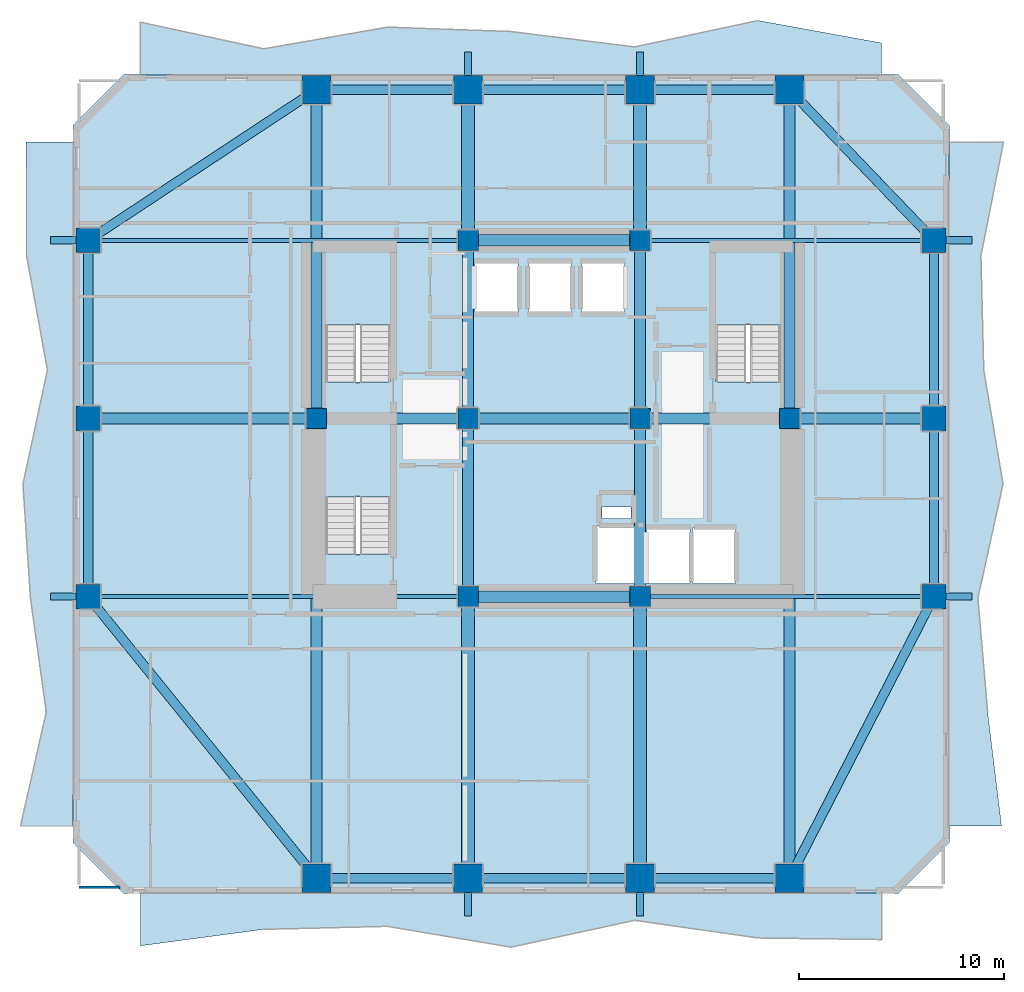
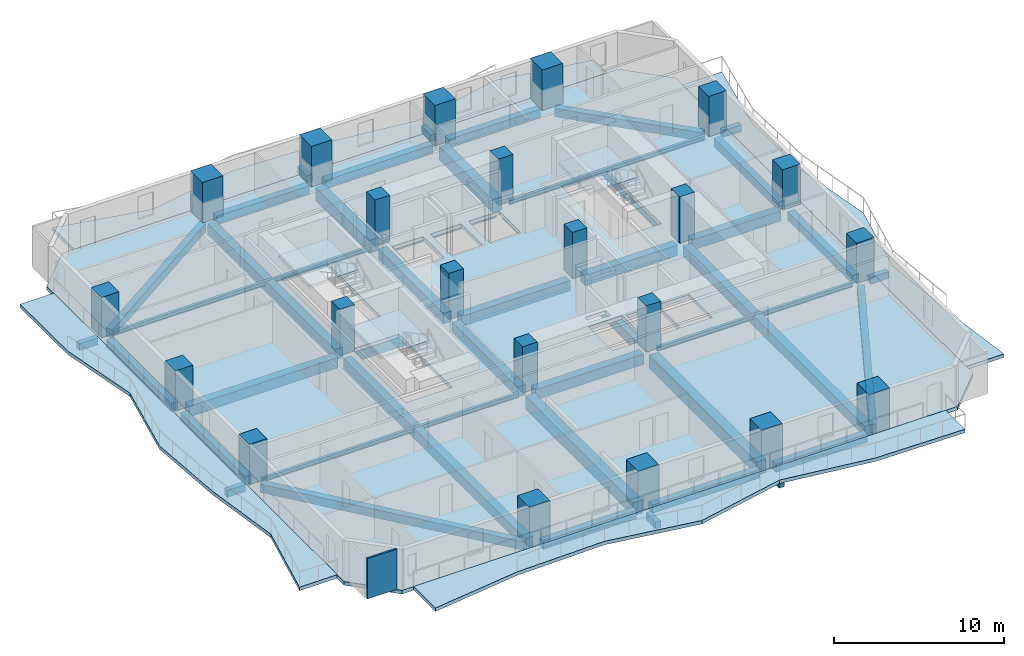
# One storey, part 1 of 10: 45 beams, 22 columns, 8 slabs, 1 wall, 3 elements without a shape of their own.
"""IFC4 building model written with IfcOpenShell, lengths in metres."""

from ifc_helpers import new_model, si_unit, direction, frame, frame_2d, origin, origin_2d, place, context, subcontext, project, spatial, polyline, rectangle, i_section, outline, extrude, material, layer, layer_set, material_profile, profile_set, type_object, element, aggregate, save


model = new_model("IFC4")

# Units and contexts
model_context = context("Model", 3, precision=1e-05, world=origin(), true_north=direction((0.0, 1.0)))
body_context = subcontext(model_context, "Body", "Model", "MODEL_VIEW")
ifc_project = project(units=[si_unit("LENGTHUNIT", "METRE"), si_unit("AREAUNIT", "SQUARE_METRE"), si_unit("VOLUMEUNIT", "CUBIC_METRE"), si_unit("PLANEANGLEUNIT", "RADIAN"), si_unit("MASSUNIT", "GRAM", prefix="KILO")], contexts=[model_context])

# Site, building, storey
site_placement = place(None, origin())
site = spatial("IfcSite", under=ifc_project, at=site_placement, CompositionType="ELEMENT")
building_placement = place(site_placement, origin())
building = spatial("IfcBuilding", under=site, at=building_placement, Name="Solanera Arch Residences", CompositionType="ELEMENT")
storey_placement = place(building_placement, frame((0.0, 0.0, 38.60009765625)))
storey = spatial("IfcBuildingStorey", under=building, at=storey_placement, Name="L10", CompositionType="ELEMENT", Elevation=38.60009765625)

# Columns
ifc_material_1 = material(Name="Concrete C55/67 (f'c = 60 MPa)", Category="concrete")
ifc_material_profile_1 = material_profile(ifc_material_1, rectangle(XDim=1.0, YDim=1.0, at=origin_2d()))
ifc_profile_set_1 = profile_set([ifc_material_profile_1], Name="Concrete C55/67 (f'c = 60 MPa)")
column_type_1 = type_object("IfcColumnType", Name="Structural Column RC-COL-1000X1000", PredefinedType="COLUMN", material=ifc_profile_set_1)
for number, where, z_axis, x_axis, name in (
    (1, (20.800048828125, 22.0, 0.0), (0.0, 0.0, 1.0), (1.0, 0.0, 0.0), "COL-L10-CB-SW"),
    (2, (29.199951171875, 22.0, 0.0), (0.0, 0.0, 1.0), (1.0, 0.0, 0.0), "COL-L10-CB-SE"),
    (3, (20.800048828125, 39.39990234375, 0.0), (0.0, 0.0, 1.0), (1.0, 0.0, 0.0), "COL-L10-CB-NW"),
    (4, (29.199951171875, 39.39990234375, 0.0), (0.0, 0.0, 1.0), (1.0, 0.0, 0.0), "COL-L10-CB-NE"),
    (5, (13.39990234375, 30.699951171875, 0.0), (0.0, 0.0, 1.0), (1.0, 0.0, 0.0), "COL-L10-CB-WW"),
    (6, (36.5, 30.699951171875, 0.0), (0.0, 0.0, 1.0), (1.0, 0.0, 0.0), "COL-L10-CB-EE"),
    (7, (20.800048828125, 30.699951171875, 0.0), (0.0, 0.0, 1.0), (1.0, 0.0, 0.0), "COL-L10-CORE-W"),
    (8, (29.199951171875, 30.699951171875, 0.0), (0.0, 0.0, 1.0), (1.0, 0.0, 0.0), "COL-L10-CORE-E"),
):
    element("IfcColumn", number, at=place(storey_placement, frame(where, z_axis=z_axis, x_axis=x_axis)), inside=storey, type_object=column_type_1, Name=name, PredefinedType="COLUMN", context=body_context, shape_type="SweptSolid", body=[
        extrude(rectangle(XDim=1.0, YDim=1.0, at=origin_2d()), origin(), (0.0, 0.0, 1.0), 3.31982421875),
    ])
ifc_material_2 = material(Name="Concrete C55/67 (f'c = 60 MPa)", Category="concrete")
ifc_material_profile_2 = material_profile(ifc_material_2, rectangle(XDim=1.199951171875, YDim=1.199951171875, at=origin_2d()))
ifc_profile_set_2 = profile_set([ifc_material_profile_2], Name="Concrete C55/67 (f'c = 60 MPa)")
column_type_2 = type_object("IfcColumnType", Name="Structural Column RC-COL-1200X1200", PredefinedType="COLUMN", material=ifc_profile_set_2)
for number, where, z_axis, x_axis, name in (
    (9, (2.25, 22.0, 0.0), (0.0, 0.0, 1.0), (1.0, 0.0, 0.0), "COL-L10-TWR-09"),
    (10, (43.550048828125, 22.0, 0.0), (0.0, 0.0, 1.0), (1.0, 0.0, 0.0), "COL-L10-TWR-10"),
    (11, (2.25, 30.699951171875, 0.0), (0.0, 0.0, 1.0), (1.0, 0.0, 0.0), "COL-L10-TWR-11"),
    (12, (43.550048828125, 30.699951171875, 0.0), (0.0, 0.0, 1.0), (1.0, 0.0, 0.0), "COL-L10-TWR-12"),
    (13, (2.25, 39.39990234375, 0.0), (0.0, 0.0, 1.0), (1.0, 0.0, 0.0), "COL-L10-TWR-13"),
    (14, (43.550048828125, 39.39990234375, 0.0), (0.0, 0.0, 1.0), (1.0, 0.0, 0.0), "COL-L10-TWR-14"),
):
    element("IfcColumn", number, at=place(storey_placement, frame(where, z_axis=z_axis, x_axis=x_axis)), inside=storey, type_object=column_type_2, Name=name, PredefinedType="COLUMN", context=body_context, shape_type="SweptSolid", body=[
        extrude(rectangle(XDim=1.199951171875, YDim=1.199951171875, at=origin_2d()), origin(), (0.0, 0.0, 1.0), 2.89990234375),
    ])
ifc_material_3 = material(Name="Concrete C55/67 (f'c = 60 MPa)", Category="concrete")
ifc_material_profile_3 = material_profile(ifc_material_3, rectangle(XDim=1.39990234375, YDim=1.39990234375, at=origin_2d()))
ifc_profile_set_3 = profile_set([ifc_material_profile_3], Name="Concrete C55/67 (f'c = 60 MPa)")
column_type_3 = type_object("IfcColumnType", Name="Structural Column RC-COL-1400X1400", PredefinedType="COLUMN", material=ifc_profile_set_3)
for number, where, z_axis, x_axis, name in (
    (15, (13.39990234375, 8.25, 0.0), (0.0, 0.0, 1.0), (1.0, 0.0, 0.0), "COL-L10-TWR-01"),
    (16, (13.39990234375, 46.75, 0.0), (0.0, 0.0, 1.0), (1.0, 0.0, 0.0), "COL-L10-TWR-02"),
    (17, (20.800048828125, 8.25, 0.0), (0.0, 0.0, 1.0), (1.0, 0.0, 0.0), "COL-L10-TWR-03"),
    (18, (20.800048828125, 46.75, 0.0), (0.0, 0.0, 1.0), (1.0, 0.0, 0.0), "COL-L10-TWR-04"),
    (19, (29.199951171875, 8.25, 0.0), (0.0, 0.0, 1.0), (1.0, 0.0, 0.0), "COL-L10-TWR-05"),
    (20, (29.199951171875, 46.75, 0.0), (0.0, 0.0, 1.0), (1.0, 0.0, 0.0), "COL-L10-TWR-06"),
    (21, (36.5, 8.25, 0.0), (0.0, 0.0, 1.0), (1.0, 0.0, 0.0), "COL-L10-TWR-07"),
    (22, (36.5, 46.75, 0.0), (0.0, 0.0, 1.0), (1.0, 0.0, 0.0), "COL-L10-TWR-08"),
):
    element("IfcColumn", number, at=place(storey_placement, frame(where, z_axis=z_axis, x_axis=x_axis)), inside=storey, type_object=column_type_3, Name=name, PredefinedType="COLUMN", context=body_context, shape_type="SweptSolid", body=[
        extrude(rectangle(XDim=1.39990234375, YDim=1.39990234375, at=origin_2d()), origin(), (0.0, 0.0, 1.0), 2.89990234375),
    ])

# Beams
ifc_material_4 = material(Name="Concrete C40/50 (f'c = 45 MPa)", Category="concrete")
ifc_material_profile_4 = material_profile(ifc_material_4, rectangle(XDim=0.35009765625, YDim=0.5, at=origin_2d()))
ifc_profile_set_4 = profile_set([ifc_material_profile_4], Name="Concrete C40/50 (f'c = 45 MPa)")
beam_type_1 = type_object("IfcBeamType", Name="BM-BALC-RIB", PredefinedType="BEAM", material=ifc_profile_set_4)
for number, where, z_axis, x_axis, name in (
    (23, (20.800048828125, 6.39990234375, -0.5), (0.0, 1.0, 0.0), (-1.0, 0.0, 0.0), "BM-L10-BRIB-S1"),
    (24, (29.199951171875, 6.39990234375, -0.5), (0.0, 1.0, 0.0), (-1.0, 0.0, 0.0), "BM-L10-BRIB-S2"),
    (25, (20.800048828125, 47.449951171875, -0.5), (0.0, 1.0, 0.0), (-1.0, 0.0, 0.0), "BM-L10-BRIB-N1"),
    (26, (29.199951171875, 47.449951171875, -0.5), (0.0, 1.0, 0.0), (-1.0, 0.0, 0.0), "BM-L10-BRIB-N2"),
):
    element("IfcBeam", number, at=place(storey_placement, frame(where, z_axis=z_axis, x_axis=x_axis)), inside=storey, type_object=beam_type_1, Name=name, PredefinedType="BEAM", context=body_context, shape_type="SweptSolid", body=[
        extrude(rectangle(XDim=0.35009765625, YDim=0.5, at=origin_2d()), origin(), (0.0, 0.0, 1.0), 1.150146484375),
    ])
for number, where, z_axis, x_axis, name in (
    (27, (44.14990234375, 22.0, -0.5), (1.0, 0.0, 0.0), (0.0, 1.0, 0.0), "BM-L10-BRIB-E1"),
    (28, (44.14990234375, 39.39990234375, -0.5), (1.0, 0.0, 0.0), (0.0, 1.0, 0.0), "BM-L10-BRIB-E2"),
    (29, (0.39990234375, 22.0, -0.5), (1.0, 0.0, 0.0), (0.0, 1.0, 0.0), "BM-L10-BRIB-W1"),
    (30, (0.39990234375, 39.39990234375, -0.5), (1.0, 0.0, 0.0), (0.0, 1.0, 0.0), "BM-L10-BRIB-W2"),
):
    element("IfcBeam", number, at=place(storey_placement, frame(where, z_axis=z_axis, x_axis=x_axis)), inside=storey, type_object=beam_type_1, Name=name, PredefinedType="BEAM", context=body_context, shape_type="SweptSolid", body=[
        extrude(rectangle(XDim=0.35009765625, YDim=0.5, at=origin_2d()), origin(), (0.0, 0.0, 1.0), 1.25),
    ])
ifc_material_5 = material(Name="Concrete C40/50 (f'c = 45 MPa)", Category="concrete")
ifc_material_profile_5 = material_profile(ifc_material_5, rectangle(XDim=0.550048828125, YDim=0.75, at=origin_2d()))
ifc_profile_set_5 = profile_set([ifc_material_profile_5], Name="Concrete C40/50 (f'c = 45 MPa)")
beam_type_2 = type_object("IfcBeamType", Name="Primary Beam RC-BM-550X750", PredefinedType="BEAM", material=ifc_profile_set_5)
beam_1_placement = place(storey_placement, frame((20.800048828125, 22.50390625, -0.635009765625), z_axis=(0.0, 1.0, 0.0), x_axis=(-1.0, 0.0, 0.0)))
element("IfcBeam", 31, at=beam_1_placement, inside=storey, type_object=beam_type_2, Name="BM-L10-CC-S-208", PredefinedType="BEAM", context=body_context, shape_type="SweptSolid", body=[
    extrude(rectangle(XDim=0.550048828125, YDim=0.75, at=origin_2d()), origin(), (0.0, 0.0, 1.0), 7.692138671875),
])
beam_2_placement = place(storey_placement, frame((20.800048828125, 31.2041015625, -0.635009765625), z_axis=(0.0, 1.0, 0.0), x_axis=(-1.0, 0.0, 0.0)))
element("IfcBeam", 32, at=beam_2_placement, inside=storey, type_object=beam_type_2, Name="BM-L10-CC-N-208", PredefinedType="BEAM", context=body_context, shape_type="SweptSolid", body=[
    extrude(rectangle(XDim=0.550048828125, YDim=0.75, at=origin_2d()), origin(), (0.0, 0.0, 1.0), 7.69189453125),
])
beam_3_placement = place(storey_placement, frame((29.199951171875, 22.50390625, -0.635009765625), z_axis=(0.0, 1.0, 0.0), x_axis=(-1.0, 0.0, 0.0)))
element("IfcBeam", 33, at=beam_3_placement, inside=storey, type_object=beam_type_2, Name="BM-L10-CC-S-292", PredefinedType="BEAM", context=body_context, shape_type="SweptSolid", body=[
    extrude(rectangle(XDim=0.550048828125, YDim=0.75, at=origin_2d()), origin(), (0.0, 0.0, 1.0), 7.692138671875),
])
beam_4_placement = place(storey_placement, frame((29.199951171875, 31.2041015625, -0.635009765625), z_axis=(0.0, 1.0, 0.0), x_axis=(-1.0, 0.0, 0.0)))
element("IfcBeam", 34, at=beam_4_placement, inside=storey, type_object=beam_type_2, Name="BM-L10-CC-N-292", PredefinedType="BEAM", context=body_context, shape_type="SweptSolid", body=[
    extrude(rectangle(XDim=0.550048828125, YDim=0.75, at=origin_2d()), origin(), (0.0, 0.0, 1.0), 7.69189453125),
])
for number, where, z_axis, x_axis, name in (
    (35, (21.303955078125, 22.0, -0.635009765625), (1.0, 0.0, 0.0), (0.0, 1.0, 0.0), "BM-L10-CC-M-220"),
    (36, (21.303955078125, 30.699951171875, -0.635009765625), (1.0, 0.0, 0.0), (0.0, 1.0, 0.0), "BM-L10-CC-M-307"),
    (37, (21.303955078125, 39.39990234375, -0.635009765625), (1.0, 0.0, 0.0), (0.0, 1.0, 0.0), "BM-L10-CC-M-394"),
):
    element("IfcBeam", number, at=place(storey_placement, frame(where, z_axis=z_axis, x_axis=x_axis)), inside=storey, type_object=beam_type_2, Name=name, PredefinedType="BEAM", context=body_context, shape_type="SweptSolid", body=[
        extrude(rectangle(XDim=0.550048828125, YDim=0.75, at=origin_2d()), origin(), (0.0, 0.0, 1.0), 7.39208984375),
    ])
beam_5_placement = place(storey_placement, frame((13.904052734375, 30.699951171875, -0.635009765625), z_axis=(1.0, 0.0, 0.0), x_axis=(0.0, 1.0, 0.0)))
element("IfcBeam", 38, at=beam_5_placement, inside=storey, type_object=beam_type_2, Name="BM-L10-CC-W", PredefinedType="BEAM", context=body_context, shape_type="SweptSolid", body=[
    extrude(rectangle(XDim=0.550048828125, YDim=0.75, at=origin_2d()), origin(), (0.0, 0.0, 1.0), 6.391845703125),
])
beam_6_placement = place(storey_placement, frame((29.7041015625, 30.699951171875, -0.635009765625), z_axis=(1.0, 0.0, 0.0), x_axis=(0.0, 1.0, 0.0)))
element("IfcBeam", 39, at=beam_6_placement, inside=storey, type_object=beam_type_2, Name="BM-L10-CC-E", PredefinedType="BEAM", context=body_context, shape_type="SweptSolid", body=[
    extrude(rectangle(XDim=0.550048828125, YDim=0.75, at=origin_2d()), origin(), (0.0, 0.0, 1.0), 6.2919921875),
])
beam_7_placement = place(storey_placement, frame((13.39990234375, 8.7900390625, -0.635009765625), z_axis=(0.0, 1.0, 0.0), x_axis=(-1.0, 0.0, 0.0)))
element("IfcBeam", 40, at=beam_7_placement, inside=storey, type_object=beam_type_2, Name="BM-L10-RAD-OS-134", PredefinedType="BEAM", context=body_context, shape_type="SweptSolid", body=[
    extrude(rectangle(XDim=0.550048828125, YDim=0.75, at=origin_2d()), origin(), (0.0, 0.0, 1.0), 21.406005859375),
])
beam_8_placement = place(storey_placement, frame((13.39990234375, 31.2041015625, -0.635009765625), z_axis=(0.0, 1.0, 0.0), x_axis=(-1.0, 0.0, 0.0)))
element("IfcBeam", 41, at=beam_8_placement, inside=storey, type_object=beam_type_2, Name="BM-L10-RAD-ON-134", PredefinedType="BEAM", context=body_context, shape_type="SweptSolid", body=[
    extrude(rectangle(XDim=0.550048828125, YDim=0.75, at=origin_2d()), origin(), (0.0, 0.0, 1.0), 15.005859375),
])
beam_9_placement = place(storey_placement, frame((36.5, 8.7900390625, -0.635009765625), z_axis=(0.0, 1.0, 0.0), x_axis=(-1.0, 0.0, 0.0)))
element("IfcBeam", 42, at=beam_9_placement, inside=storey, type_object=beam_type_2, Name="BM-L10-RAD-OS-365", PredefinedType="BEAM", context=body_context, shape_type="SweptSolid", body=[
    extrude(rectangle(XDim=0.550048828125, YDim=0.75, at=origin_2d()), origin(), (0.0, 0.0, 1.0), 21.406005859375),
])
beam_10_placement = place(storey_placement, frame((36.5, 31.2041015625, -0.635009765625), z_axis=(0.0, 1.0, 0.0), x_axis=(-1.0, 0.0, 0.0)))
element("IfcBeam", 43, at=beam_10_placement, inside=storey, type_object=beam_type_2, Name="BM-L10-RAD-ON-365", PredefinedType="BEAM", context=body_context, shape_type="SweptSolid", body=[
    extrude(rectangle(XDim=0.550048828125, YDim=0.75, at=origin_2d()), origin(), (0.0, 0.0, 1.0), 15.005859375),
])
beam_11_placement = place(storey_placement, frame((2.7900390625, 30.699951171875, -0.635009765625), z_axis=(1.0, 0.0, 0.0), x_axis=(0.0, 1.0, 0.0)))
element("IfcBeam", 44, at=beam_11_placement, inside=storey, type_object=beam_type_2, Name="BM-L10-RAD-MW", PredefinedType="BEAM", context=body_context, shape_type="SweptSolid", body=[
    extrude(rectangle(XDim=0.550048828125, YDim=0.75, at=origin_2d()), origin(), (0.0, 0.0, 1.0), 10.10595703125),
])
beam_12_placement = place(storey_placement, frame((37.00390625, 30.699951171875, -0.635009765625), z_axis=(1.0, 0.0, 0.0), x_axis=(0.0, 1.0, 0.0)))
element("IfcBeam", 45, at=beam_12_placement, inside=storey, type_object=beam_type_2, Name="BM-L10-RAD-ME", PredefinedType="BEAM", context=body_context, shape_type="SweptSolid", body=[
    extrude(rectangle(XDim=0.550048828125, YDim=0.75, at=origin_2d()), origin(), (0.0, 0.0, 1.0), 6.006103515625),
])
ifc_material_6 = material(Name="Concrete C40/50 (f'c = 45 MPa)", Category="concrete")
ifc_material_profile_6 = material_profile(ifc_material_6, rectangle(XDim=0.64990234375, YDim=0.949951171875, at=origin_2d()))
ifc_profile_set_6 = profile_set([ifc_material_profile_6], Name="Concrete C40/50 (f'c = 45 MPa)")
beam_type_3 = type_object("IfcBeamType", Name="Primary Beam RC-BM-650X950", PredefinedType="BEAM", material=ifc_profile_set_6)
beam_13_placement = place(storey_placement, frame((20.800048828125, 8.7900390625, -0.735107421875), z_axis=(0.0, 1.0, 0.0), x_axis=(-1.0, 0.0, 0.0)))
element("IfcBeam", 46, at=beam_13_placement, inside=storey, type_object=beam_type_3, Name="BM-L10-RAD-S-208", PredefinedType="BEAM", context=body_context, shape_type="SweptSolid", body=[
    extrude(rectangle(XDim=0.64990234375, YDim=0.949951171875, at=origin_2d()), origin(), (0.0, 0.0, 1.0), 12.7060546875),
])
beam_14_placement = place(storey_placement, frame((20.800048828125, 39.904052734375, -0.735107421875), z_axis=(0.0, 1.0, 0.0), x_axis=(-1.0, 0.0, 0.0)))
element("IfcBeam", 47, at=beam_14_placement, inside=storey, type_object=beam_type_3, Name="BM-L10-RAD-N-208", PredefinedType="BEAM", context=body_context, shape_type="SweptSolid", body=[
    extrude(rectangle(XDim=0.64990234375, YDim=0.949951171875, at=origin_2d()), origin(), (0.0, 0.0, 1.0), 6.305908203125),
])
beam_15_placement = place(storey_placement, frame((29.199951171875, 8.7900390625, -0.735107421875), z_axis=(0.0, 1.0, 0.0), x_axis=(-1.0, 0.0, 0.0)))
element("IfcBeam", 48, at=beam_15_placement, inside=storey, type_object=beam_type_3, Name="BM-L10-RAD-S-292", PredefinedType="BEAM", context=body_context, shape_type="SweptSolid", body=[
    extrude(rectangle(XDim=0.64990234375, YDim=0.949951171875, at=origin_2d()), origin(), (0.0, 0.0, 1.0), 12.7060546875),
])
beam_16_placement = place(storey_placement, frame((29.199951171875, 39.904052734375, -0.735107421875), z_axis=(0.0, 1.0, 0.0), x_axis=(-1.0, 0.0, 0.0)))
element("IfcBeam", 49, at=beam_16_placement, inside=storey, type_object=beam_type_3, Name="BM-L10-RAD-N-292", PredefinedType="BEAM", context=body_context, shape_type="SweptSolid", body=[
    extrude(rectangle(XDim=0.64990234375, YDim=0.949951171875, at=origin_2d()), origin(), (0.0, 0.0, 1.0), 6.305908203125),
])
ifc_material_7 = material(Name="Steel S355 (ASTM A992 / A572 Grade 50)", Category="steel")
ifc_material_profile_7 = material_profile(ifc_material_7, i_section(OverallWidth=0.202880859375, OverallDepth=0.302978515625, WebThickness=0.007568359375, FlangeThickness=0.01318359375, at=origin_2d()))
ifc_profile_set_7 = profile_set([ifc_material_profile_7], Name="Steel S355 (ASTM A992 / A572 Grade 50)")
beam_type_4 = type_object("IfcBeamType", Name="Secondary Joist W310X60", PredefinedType="JOIST", material=ifc_profile_set_7)
beam_17_placement = place(storey_placement, frame((2.7900390625, 22.0, -0.4111328125), z_axis=(1.0, 0.0, 0.0), x_axis=(0.0, 1.0, 0.0)))
element("IfcBeam", 50, at=beam_17_placement, inside=storey, type_object=beam_type_4, Name="BM-L10-RAD-W-220", PredefinedType="JOIST", context=body_context, shape_type="SweptSolid", body=[
    extrude(i_section(OverallWidth=0.202880859375, OverallDepth=0.302978515625, WebThickness=0.007568359375, FlangeThickness=0.01318359375, at=origin_2d()), origin(), (0.0, 0.0, 1.0), 17.505859375),
])
beam_18_placement = place(storey_placement, frame((29.7041015625, 22.0, -0.4111328125), z_axis=(1.0, 0.0, 0.0), x_axis=(0.0, 1.0, 0.0)))
element("IfcBeam", 51, at=beam_18_placement, inside=storey, type_object=beam_type_4, Name="BM-L10-RAD-E-220", PredefinedType="JOIST", context=body_context, shape_type="SweptSolid", body=[
    extrude(i_section(OverallWidth=0.202880859375, OverallDepth=0.302978515625, WebThickness=0.007568359375, FlangeThickness=0.01318359375, at=origin_2d()), origin(), (0.0, 0.0, 1.0), 13.305908203125),
])
beam_19_placement = place(storey_placement, frame((2.7900390625, 39.39990234375, -0.4111328125), z_axis=(1.0, 0.0, 0.0), x_axis=(0.0, 1.0, 0.0)))
element("IfcBeam", 52, at=beam_19_placement, inside=storey, type_object=beam_type_4, Name="BM-L10-RAD-W-394", PredefinedType="JOIST", context=body_context, shape_type="SweptSolid", body=[
    extrude(i_section(OverallWidth=0.202880859375, OverallDepth=0.302978515625, WebThickness=0.007568359375, FlangeThickness=0.01318359375, at=origin_2d()), origin(), (0.0, 0.0, 1.0), 17.505859375),
])
beam_20_placement = place(storey_placement, frame((29.7041015625, 39.39990234375, -0.4111328125), z_axis=(1.0, 0.0, 0.0), x_axis=(0.0, 1.0, 0.0)))
element("IfcBeam", 53, at=beam_20_placement, inside=storey, type_object=beam_type_4, Name="BM-L10-RAD-E-394", PredefinedType="JOIST", context=body_context, shape_type="SweptSolid", body=[
    extrude(i_section(OverallWidth=0.202880859375, OverallDepth=0.302978515625, WebThickness=0.007568359375, FlangeThickness=0.01318359375, at=origin_2d()), origin(), (0.0, 0.0, 1.0), 13.305908203125),
])
ifc_material_8 = material(Name="Concrete C40/50 (f'c = 45 MPa)", Category="concrete")
ifc_material_profile_8 = material_profile(ifc_material_8, rectangle(XDim=0.449951171875, YDim=0.60009765625, at=origin_2d()))
ifc_profile_set_8 = profile_set([ifc_material_profile_8], Name="Concrete C40/50 (f'c = 45 MPa)")
beam_type_5 = type_object("IfcBeamType", Name="Spandrel Beam RC-BM-450X600", PredefinedType="SPANDREL", material=ifc_profile_set_8)
for number, where, z_axis, x_axis, name in (
    (54, (13.93994140625, 8.25, -0.56005859375), (1.0, 0.0, 0.0), (0.0, 1.0, 0.0), "BM-L10-SPN-S-1"),
    (55, (13.93994140625, 46.75, -0.56005859375), (1.0, 0.0, 0.0), (0.0, 1.0, 0.0), "BM-L10-SPN-N-1"),
):
    element("IfcBeam", number, at=place(storey_placement, frame(where, z_axis=z_axis, x_axis=x_axis)), inside=storey, type_object=beam_type_5, Name=name, PredefinedType="SPANDREL", context=body_context, shape_type="SweptSolid", body=[
        extrude(rectangle(XDim=0.449951171875, YDim=0.60009765625, at=origin_2d()), origin(), (0.0, 0.0, 1.0), 6.320068359375),
    ])
for number, where, z_axis, x_axis, name in (
    (56, (21.340087890625, 8.25, -0.56005859375), (1.0, 0.0, 0.0), (0.0, 1.0, 0.0), "BM-L10-SPN-S-2"),
    (57, (21.340087890625, 46.75, -0.56005859375), (1.0, 0.0, 0.0), (0.0, 1.0, 0.0), "BM-L10-SPN-N-2"),
):
    element("IfcBeam", number, at=place(storey_placement, frame(where, z_axis=z_axis, x_axis=x_axis)), inside=storey, type_object=beam_type_5, Name=name, PredefinedType="SPANDREL", context=body_context, shape_type="SweptSolid", body=[
        extrude(rectangle(XDim=0.449951171875, YDim=0.60009765625, at=origin_2d()), origin(), (0.0, 0.0, 1.0), 7.31982421875),
    ])
for number, where, z_axis, x_axis, name in (
    (58, (29.739990234375, 8.25, -0.56005859375), (1.0, 0.0, 0.0), (0.0, 1.0, 0.0), "BM-L10-SPN-S-3"),
    (59, (29.739990234375, 46.75, -0.56005859375), (1.0, 0.0, 0.0), (0.0, 1.0, 0.0), "BM-L10-SPN-N-3"),
):
    element("IfcBeam", number, at=place(storey_placement, frame(where, z_axis=z_axis, x_axis=x_axis)), inside=storey, type_object=beam_type_5, Name=name, PredefinedType="SPANDREL", context=body_context, shape_type="SweptSolid", body=[
        extrude(rectangle(XDim=0.449951171875, YDim=0.60009765625, at=origin_2d()), origin(), (0.0, 0.0, 1.0), 6.219970703125),
    ])
for number, where, z_axis, x_axis, name in (
    (60, (2.25, 22.5400390625, -0.56005859375), (0.0, 1.0, 0.0), (-1.0, 0.0, 0.0), "BM-L10-SPN-W-1"),
    (61, (43.550048828125, 22.5400390625, -0.56005859375), (0.0, 1.0, 0.0), (-1.0, 0.0, 0.0), "BM-L10-SPN-E-1"),
):
    element("IfcBeam", number, at=place(storey_placement, frame(where, z_axis=z_axis, x_axis=x_axis)), inside=storey, type_object=beam_type_5, Name=name, PredefinedType="SPANDREL", context=body_context, shape_type="SweptSolid", body=[
        extrude(rectangle(XDim=0.449951171875, YDim=0.60009765625, at=origin_2d()), origin(), (0.0, 0.0, 1.0), 7.619873046875),
    ])
for number, where, z_axis, x_axis, name in (
    (62, (2.25, 31.239990234375, -0.56005859375), (0.0, 1.0, 0.0), (-1.0, 0.0, 0.0), "BM-L10-SPN-W-2"),
    (63, (43.550048828125, 31.239990234375, -0.56005859375), (0.0, 1.0, 0.0), (-1.0, 0.0, 0.0), "BM-L10-SPN-E-2"),
):
    element("IfcBeam", number, at=place(storey_placement, frame(where, z_axis=z_axis, x_axis=x_axis)), inside=storey, type_object=beam_type_5, Name=name, PredefinedType="SPANDREL", context=body_context, shape_type="SweptSolid", body=[
        extrude(rectangle(XDim=0.449951171875, YDim=0.60009765625, at=origin_2d()), origin(), (0.0, 0.0, 1.0), 7.6201171875),
    ])
beam_21_placement = place(storey_placement, frame((13.06005859375, 8.6689453125, -0.56005859375), z_axis=(-0.629827104297, 0.776735359497, 0.0), x_axis=(-0.776735359497, -0.629827104297, 0.0)))
element("IfcBeam", 64, at=beam_21_placement, inside=storey, type_object=beam_type_5, Name="BM-L10-SPN-SW", PredefinedType="SPANDREL", context=body_context, shape_type="SweptSolid", body=[
    extrude(rectangle(XDim=0.449951171875, YDim=0.60009765625, at=origin_2d()), origin(), (0.0, 0.0, 1.0), 16.62353515625),
])
beam_22_placement = place(storey_placement, frame((12.948974609375, 46.452880859375, -0.56005859375), z_axis=(-0.834903365048, -0.550396557976, 0.0), x_axis=(0.550396557976, -0.834903365048, 0.0)))
element("IfcBeam", 65, at=beam_22_placement, inside=storey, type_object=beam_type_5, Name="BM-L10-SPN-NW", PredefinedType="SPANDREL", context=body_context, shape_type="SweptSolid", body=[
    extrude(rectangle(XDim=0.449951171875, YDim=0.60009765625, at=origin_2d()), origin(), (0.0, 0.0, 1.0), 12.2744140625),
])
beam_23_placement = place(storey_placement, frame((36.74609375, 8.73095703125, -0.56005859375), z_axis=(0.456309404993, 0.889821176931, 0.0), x_axis=(-0.889821176931, 0.456309404993, 0.0)))
element("IfcBeam", 66, at=beam_23_placement, inside=storey, type_object=beam_type_5, Name="BM-L10-SPN-SE", PredefinedType="SPANDREL", context=body_context, shape_type="SweptSolid", body=[
    extrude(rectangle(XDim=0.449951171875, YDim=0.60009765625, at=origin_2d()), origin(), (0.0, 0.0, 1.0), 14.37158203125),
])
beam_24_placement = place(storey_placement, frame((36.8740234375, 46.360107421875, -0.56005859375), z_axis=(0.692230884532, -0.721676106366, 0.0), x_axis=(0.721676106366, 0.692230884532, 0.0)))
element("IfcBeam", 67, at=beam_24_placement, inside=storey, type_object=beam_type_5, Name="BM-L10-SPN-NE", PredefinedType="SPANDREL", context=body_context, shape_type="SweptSolid", body=[
    extrude(rectangle(XDim=0.449951171875, YDim=0.60009765625, at=origin_2d()), origin(), (0.0, 0.0, 1.0), 9.10400390625),
])

# Slabs
ifc_material_9 = material(Name="Concrete C40/50 (f'c = 45 MPa)", Category="concrete")
ifc_layer_1 = layer(ifc_material_9, 0.25)
ifc_layer_set_1 = layer_set([ifc_layer_1], Name="Concrete C40/50 (f'c = 45 MPa)")
slab_type_1 = type_object("IfcSlabType", Name="Balcony Slab 250", PredefinedType="FLOOR", material=ifc_layer_set_1)
slab_1_placement = place(storey_placement, frame((0.0, 0.0, -0.25)))
element("IfcSlab", 68, at=slab_1_placement, inside=storey, type_object=slab_type_1, Name="L10 S Rippling Brise-Soleil Balcony Slab", PredefinedType="FLOOR", context=body_context, shape_type="SweptSolid", body=[
    extrude(outline(polyline([(4.800048828125, 4.945068359375), (10.8330078125, 5.7529296875), (16.866943359375, 5.89892578125), (22.89990234375, 4.882080078125), (28.93310546875, 6.193115234375), (34.967041015625, 5.33203125), (41.0, 5.25390625), (41.0, 7.52001953125), (4.800048828125, 7.52001953125), (4.800048828125, 4.945068359375)])), origin(), (0.0, 0.0, 1.0), 0.25),
])
slab_2_placement = place(storey_placement, frame((0.0, 0.0, -0.25)))
element("IfcSlab", 69, at=slab_2_placement, inside=storey, type_object=slab_type_1, Name="L10 N Rippling Brise-Soleil Balcony Slab", PredefinedType="FLOOR", context=body_context, shape_type="SweptSolid", body=[
    extrude(outline(polyline([(41.0, 49.0380859375), (34.967041015625, 50.135986328125), (28.93310546875, 48.844970703125), (22.89990234375, 49.596923828125), (16.866943359375, 49.81103515625), (10.8330078125, 48.751953125), (4.800048828125, 50.054931640625), (4.800048828125, 47.47998046875), (41.0, 47.47998046875), (41.0, 49.0380859375)])), origin(), (0.0, 0.0, 1.0), 0.25),
])
slab_3_placement = place(storey_placement, frame((0.0, 0.0, -0.25)))
element("IfcSlab", 70, at=slab_3_placement, inside=storey, type_object=slab_type_1, Name="L10 E Rippling Brise-Soleil Balcony Slab", PredefinedType="FLOOR", context=body_context, shape_type="SweptSolid", body=[
    extrude(outline(polyline([(46.85498046875, 10.800048828125), (46.175048828125, 16.366943359375), (45.699951171875, 21.93310546875), (46.927978515625, 27.5), (45.986083984375, 33.06689453125), (45.845947265625, 38.633056640625), (46.949951171875, 44.199951171875), (44.280029296875, 44.199951171875), (44.280029296875, 10.800048828125), (46.85498046875, 10.800048828125)])), origin(), (0.0, 0.0, 1.0), 0.25),
])
slab_4_placement = place(storey_placement, frame((0.0, 0.0, -0.25)))
element("IfcSlab", 71, at=slab_4_placement, inside=storey, type_object=slab_type_1, Name="L10 W Rippling Brise-Soleil Balcony Slab", PredefinedType="FLOOR", context=body_context, shape_type="SweptSolid", body=[
    extrude(outline(polyline([(-0.779052734375, 44.199951171875), (-0.75390625, 38.633056640625), (0.260986328125, 33.06689453125), (-0.93505859375, 27.5), (-0.569091796875, 21.93310546875), (0.205078125, 16.366943359375), (-1.054931640625, 10.800048828125), (1.52001953125, 10.800048828125), (1.52001953125, 44.199951171875), (-0.779052734375, 44.199951171875)])), origin(), (0.0, 0.0, 1.0), 0.25),
])

# Stair, slab
ifc_material_10 = material(Name="Concrete C40/50 (f'c = 45 MPa)", Category="concrete")
stair_type = type_object("IfcStairType", Name="Tower Dogleg Exit Stair 1480", PredefinedType="HALF_TURN_STAIR", material=ifc_material_10)
stair_1_placement = place(storey_placement, origin())
stair_1 = element("IfcStair", 72, at=stair_1_placement, inside=storey, type_object=stair_type, Name="L10 Tower Core Exit Stair 1", PredefinedType="HALF_TURN_STAIR")
ifc_material_11 = material(Name="Concrete C40/50 (f'c = 45 MPa)", Category="concrete")
ifc_layer_2 = layer(ifc_material_11, 0.199951171875)
ifc_layer_set_2 = layer_set([ifc_layer_2], Name="Concrete C40/50 (f'c = 45 MPa)")
slab_type_2 = type_object("IfcSlabType", Name="Stair Half-Landing Slab 200", PredefinedType="LANDING", material=ifc_layer_set_2)
slab_5_placement = place(storey_placement, frame((0.0, 0.0, 1.4599609375)))
slab_5 = element("IfcSlab", 73, at=slab_5_placement, type_object=slab_type_2, Name="ST-T1 landing 1", PredefinedType="LANDING", context=body_context, shape_type="SweptSolid", body=[
    extrude(outline(polyline([(17.1201171875, 35.260009765625), (17.1201171875, 38.919921875), (13.719970703125, 38.919921875), (13.719970703125, 35.260009765625), (17.1201171875, 35.260009765625)])), origin(), (0.0, 0.0, 1.0), 0.199951171875),
])
aggregate(stair_1, [slab_5])

stair_2_placement = place(storey_placement, origin())
stair_2 = element("IfcStair", 74, at=stair_2_placement, inside=storey, type_object=stair_type, Name="L10 Tower Core Exit Stair 2", PredefinedType="HALF_TURN_STAIR")
slab_6_placement = place(storey_placement, frame((0.0, 0.0, 1.4599609375)))
slab_6 = element("IfcSlab", 75, at=slab_6_placement, type_object=slab_type_2, Name="ST-T2 landing 1", PredefinedType="LANDING", context=body_context, shape_type="SweptSolid", body=[
    extrude(outline(polyline([(36.179931640625, 35.260009765625), (36.179931640625, 38.919921875), (32.780029296875, 38.919921875), (32.780029296875, 35.260009765625), (36.179931640625, 35.260009765625)])), origin(), (0.0, 0.0, 1.0), 0.199951171875),
])
aggregate(stair_2, [slab_6])

stair_3_placement = place(storey_placement, origin())
stair_3 = element("IfcStair", 76, at=stair_3_placement, inside=storey, type_object=stair_type, Name="L10 Tower Core Exit Stair 3", PredefinedType="HALF_TURN_STAIR")
slab_7_placement = place(storey_placement, frame((0.0, 0.0, 1.4599609375)))
slab_7 = element("IfcSlab", 77, at=slab_7_placement, type_object=slab_type_2, Name="ST-T3 landing 1", PredefinedType="LANDING", context=body_context, shape_type="SweptSolid", body=[
    extrude(outline(polyline([(17.1201171875, 26.860107421875), (17.1201171875, 30.52001953125), (13.719970703125, 30.52001953125), (13.719970703125, 26.860107421875), (17.1201171875, 26.860107421875)])), origin(), (0.0, 0.0, 1.0), 0.199951171875),
])
aggregate(stair_3, [slab_7])

# Slab
ifc_material_12 = material(Name="Concrete C40/50 (f'c = 45 MPa)", Category="concrete")
ifc_layer_3 = layer(ifc_material_12, 0.260009765625)
ifc_layer_set_3 = layer_set([ifc_layer_3], Name="Concrete C40/50 (f'c = 45 MPa)")
slab_type_3 = type_object("IfcSlabType", Name="Suspended Floor Slab Post-Tensioned 260", PredefinedType="FLOOR", material=ifc_layer_set_3)
slab_8_placement = place(storey_placement, frame((0.0, 0.0, -0.260009765625)))
element("IfcSlab", 78, at=slab_8_placement, inside=storey, type_object=slab_type_3, Name="L10 Tower Post-Tensioned Floor Slab", PredefinedType="FLOOR", context=body_context, shape_type="SweptSolid", body=[
    extrude(outline(polyline([(4.0, 7.5), (41.800048828125, 7.5), (44.300048828125, 10.0), (44.300048828125, 45.0), (41.800048828125, 47.5), (4.0, 47.5), (1.5, 45.0), (1.5, 10.0), (4.0, 7.5)]), holes=[polyline([(13.840087890625, 32.48291015625), (13.840087890625, 38.800048828125), (17.0, 38.800048828125), (17.0, 32.48291015625), (13.840087890625, 32.48291015625)]), polyline([(32.89990234375, 32.48291015625), (32.89990234375, 38.800048828125), (36.06005859375, 38.800048828125), (36.06005859375, 32.48291015625), (32.89990234375, 32.48291015625)]), polyline([(13.840087890625, 24.0830078125), (13.840087890625, 30.39990234375), (17.0, 30.39990234375), (17.0, 24.0830078125), (13.840087890625, 24.0830078125)]), polyline([(21.14990234375, 38.35009765625), (23.25, 38.35009765625), (23.25, 35.85009765625), (21.14990234375, 35.85009765625), (21.14990234375, 38.35009765625)]), polyline([(23.75, 38.35009765625), (25.85009765625, 38.35009765625), (25.85009765625, 35.85009765625), (23.75, 35.85009765625), (23.75, 38.35009765625)]), polyline([(26.35009765625, 38.35009765625), (28.449951171875, 38.35009765625), (28.449951171875, 35.85009765625), (26.35009765625, 35.85009765625), (26.35009765625, 38.35009765625)]), polyline([(29.550048828125, 25.35009765625), (31.64990234375, 25.35009765625), (31.64990234375, 22.64990234375), (29.550048828125, 22.64990234375), (29.550048828125, 25.35009765625)]), polyline([(31.75, 25.35009765625), (33.85009765625, 25.35009765625), (33.85009765625, 22.64990234375), (31.75, 22.64990234375), (31.75, 25.35009765625)]), polyline([(27.050048828125, 25.449951171875), (29.35009765625, 25.449951171875), (29.35009765625, 22.64990234375), (27.050048828125, 22.64990234375), (27.050048828125, 25.449951171875)]), polyline([(27.340087890625, 26.3798828125), (28.760009765625, 26.3798828125), (28.760009765625, 25.820068359375), (27.340087890625, 25.820068359375), (27.340087890625, 26.3798828125)])]), origin(), (0.0, 0.0, 1.0), 0.260009765625),
])

# Wall
ifc_material_13 = material(Name="Fire-Rated Gypsum Stud Partition", Category="gypsum")
ifc_layer_4 = layer(ifc_material_13, 0.1201171875)
ifc_layer_set_4 = layer_set([ifc_layer_4], Name="Fire-Rated Gypsum Stud Partition")
wall_type = type_object("IfcWallType", Name="Unit Drywall Partition 120", PredefinedType="PARTITIONING", material=ifc_layer_set_4)
wall_placement = place(storey_placement, frame((1.800048828125, 7.800048828125, 0.0), z_axis=(0.0, 0.0, 1.0), x_axis=(1.0, 0.0, 0.0)))
element("IfcWall", 79, at=wall_placement, inside=storey, type_object=wall_type, Name="L10 Interior Partition H19 1", PredefinedType="PARTITIONING", context=body_context, shape_type="SweptSolid", body=[
    extrude(rectangle(XDim=2.0009765625, YDim=0.1201171875, at=frame_2d((1.00048828125, 0.0))), origin(), (0.0, 0.0, 1.0), 2.89990234375),
])

save(model, "model.ifc")
